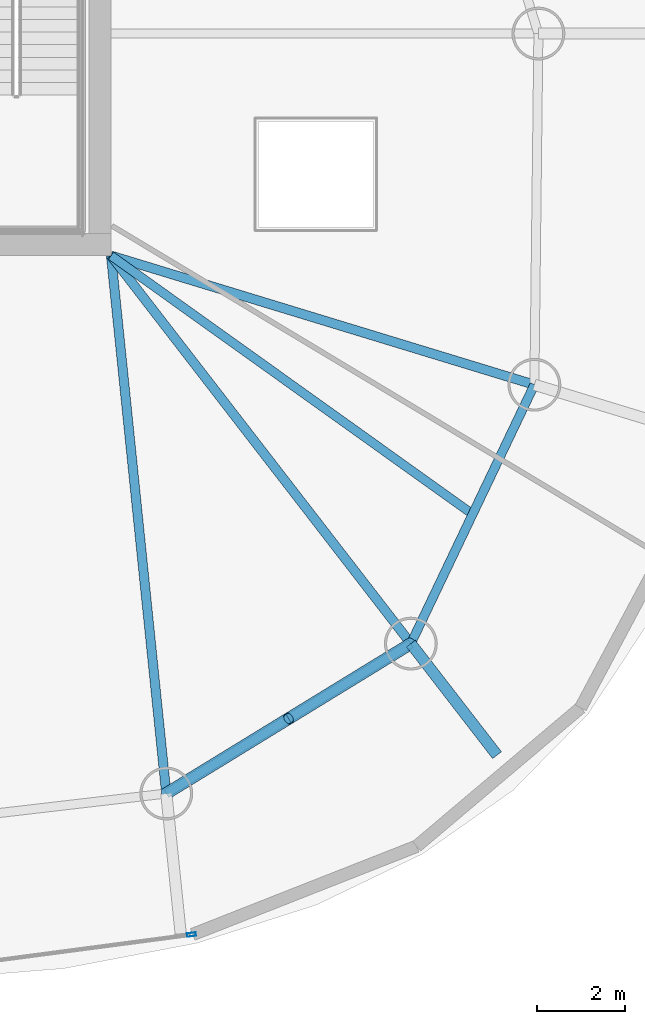
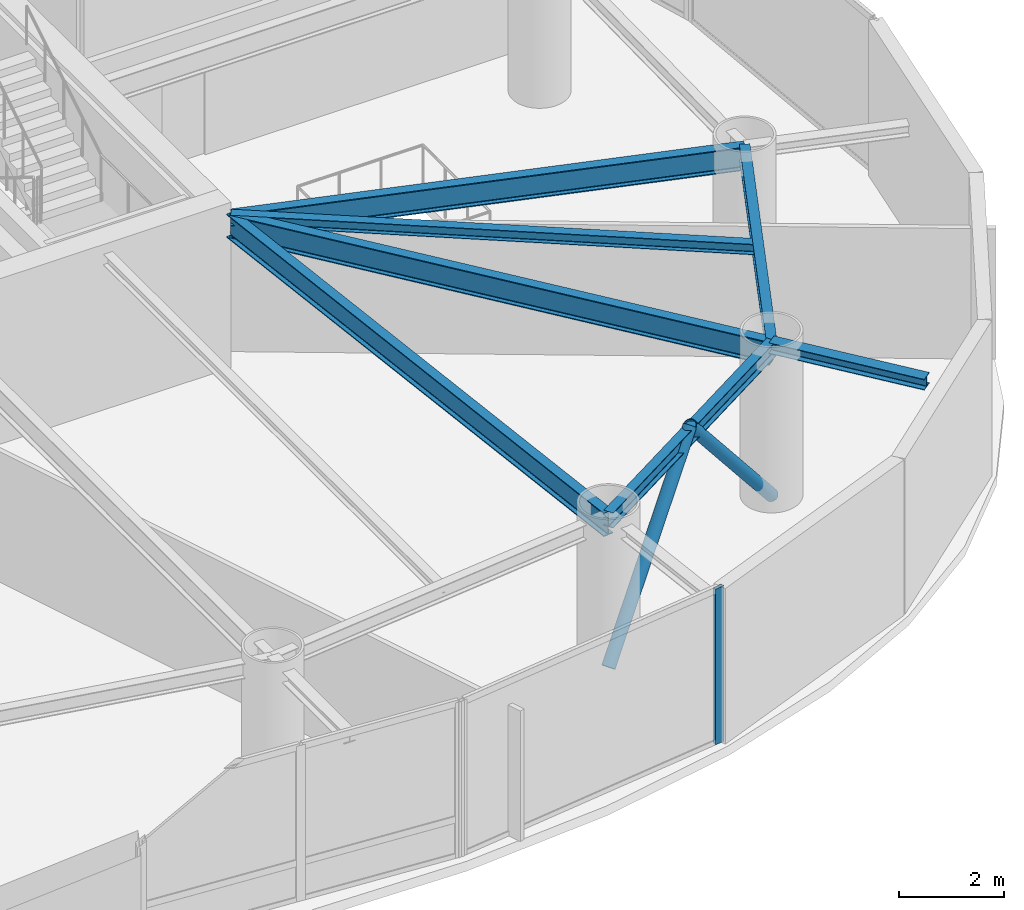
# One storey, part 6 of 21: 7 beams, 3 members, 1 element without a shape of its own.
"""IFC4 building model written with IfcOpenShell, lengths in metres."""

from ifc_helpers import new_model, si_unit, direction, frame, origin, origin_2d, place, context, subcontext, project, spatial, hollow_rectangle, hollow_circle, i_section, extrude, material, layer, layer_set, material_profile, profile_set, type_object, element, aggregate, save


model = new_model("IFC4")

# Units and contexts
model_context = context("Model", 3, precision=1e-05, world=origin(), true_north=direction((0.0, 1.0)))
body_context = subcontext(model_context, "Body", "Model", "MODEL_VIEW")
ifc_project = project(units=[si_unit("LENGTHUNIT", "METRE"), si_unit("AREAUNIT", "SQUARE_METRE"), si_unit("VOLUMEUNIT", "CUBIC_METRE"), si_unit("PLANEANGLEUNIT", "RADIAN"), si_unit("MASSUNIT", "GRAM", prefix="KILO")], contexts=[model_context])

# Site, building, storey
site_placement = place(None, origin())
site = spatial("IfcSite", under=ifc_project, at=site_placement, CompositionType="ELEMENT")
building_placement = place(site_placement, origin())
building = spatial("IfcBuilding", under=site, at=building_placement, Name="Bramvorn Convention Spire", CompositionType="ELEMENT")
storey_placement = place(building_placement, frame((0.0, 0.0, 186.60009765625)))
storey = spatial("IfcBuildingStorey", under=building, at=storey_placement, Name="L47", CompositionType="ELEMENT", Elevation=186.60009765625)

# Beams
ifc_material_1 = material(Name="Steel CSA G40.21 Grade 350 (350W)", Category="steel")
ifc_material_profile_1 = material_profile(ifc_material_1, i_section(OverallWidth=0.201904296875, OverallDepth=0.2470703125, WebThickness=0.00732421875, FlangeThickness=0.010986328125, FilletRadius=0.011962890625, at=origin_2d()))
ifc_profile_set_1 = profile_set([ifc_material_profile_1], Name="Steel CSA G40.21 Grade 350 (350W) - W250X49")
beam_type_1 = type_object("IfcBeamType", Name="BM-W250X49", PredefinedType="JOIST", material=ifc_profile_set_1)
beam_1_placement = place(storey_placement, frame((49.25, 18.550048828125, 3.496337890625), z_axis=(0.813471895271, -0.581604225916, 0.0), x_axis=(0.581604225916, 0.813471895271, 0.0)))
element("IfcBeam", 1, at=beam_1_placement, inside=storey, type_object=beam_type_1, Name="L47 composite floor joist 01", PredefinedType="JOIST", context=body_context, shape_type="SweptSolid", body=[
    extrude(i_section(OverallWidth=0.201904296875, OverallDepth=0.2470703125, WebThickness=0.00732421875, FlangeThickness=0.010986328125, FilletRadius=0.011962890625, at=origin_2d()), origin(), (0.0, 0.0, 1.0), 10.093505859375),
])
ifc_material_profile_2 = material_profile(ifc_material_1, i_section(OverallWidth=0.25390625, OverallDepth=0.2529296875, WebThickness=0.008544921875, FlangeThickness=0.01416015625, FilletRadius=0.011962890625, at=origin_2d()))
ifc_profile_set_2 = profile_set([ifc_material_profile_2], Name="Steel CSA G40.21 Grade 350 (350W) - W250X73")
beam_type_2 = type_object("IfcBeamType", Name="BM-W250X73", PredefinedType="BEAM", material=ifc_profile_set_2)
beam_2_placement = place(storey_placement, frame((56.058349609375, 9.739990234375, 3.493408203125), z_axis=(0.611497441422, -0.791246408607, 0.0), x_axis=(0.791246408607, 0.611497441422, 0.0)))
element("IfcBeam", 2, at=beam_2_placement, inside=storey, type_object=beam_type_2, Name="L47 slab-edge cantilever tip beam MC01", PredefinedType="BEAM", context=body_context, shape_type="SweptSolid", body=[
    extrude(i_section(OverallWidth=0.25390625, OverallDepth=0.2529296875, WebThickness=0.008544921875, FlangeThickness=0.01416015625, FilletRadius=0.011962890625, at=origin_2d()), origin(), (0.0, 0.0, 1.0), 3.199951171875),
])
ifc_material_profile_3 = material_profile(ifc_material_1, i_section(OverallWidth=0.205078125, OverallDepth=0.35400390625, WebThickness=0.009521484375, FlangeThickness=0.016845703125, FilletRadius=0.014892578125, at=origin_2d()))
ifc_profile_set_3 = profile_set([ifc_material_profile_3], Name="Steel CSA G40.21 Grade 350 (350W) - W360X79")
beam_type_3 = type_object("IfcBeamType", Name="BM-W360X79", PredefinedType="JOIST", material=ifc_profile_set_3)
beam_3_placement = place(storey_placement, frame((56.058349609375, 9.739990234375, 3.44287109375), z_axis=(0.430556138422, 0.902563799223, 0.0), x_axis=(-0.902563799223, 0.430556138422, 0.0)))
element("IfcBeam", 3, at=beam_3_placement, inside=storey, type_object=beam_type_3, Name="L47 mega-column ring beam 01", PredefinedType="JOIST", context=body_context, shape_type="SweptSolid", body=[
    extrude(i_section(OverallWidth=0.205078125, OverallDepth=0.35400390625, WebThickness=0.009521484375, FlangeThickness=0.016845703125, FilletRadius=0.014892578125, at=origin_2d()), origin(), (0.0, 0.0, 1.0), 6.51416015625),
])
beam_4_placement = place(storey_placement, frame((50.50439453125, 6.336181640625, 3.44287109375), z_axis=(0.852616873135, 0.522536570629, 0.0), x_axis=(-0.522536570629, 0.852616873135, 0.0)))
element("IfcBeam", 4, at=beam_4_placement, inside=storey, type_object=beam_type_3, Name="L47 mega-column ring beam 16", PredefinedType="JOIST", context=body_context, shape_type="SweptSolid", body=[
    extrude(i_section(OverallWidth=0.205078125, OverallDepth=0.35400390625, WebThickness=0.009521484375, FlangeThickness=0.016845703125, FilletRadius=0.014892578125, at=origin_2d()), origin(), (0.0, 0.0, 1.0), 6.513916015625),
])
ifc_material_profile_4 = material_profile(ifc_material_1, i_section(OverallWidth=0.2119140625, OverallDepth=0.5439453125, WebThickness=0.01318359375, FlangeThickness=0.021240234375, FilletRadius=0.01904296875, at=origin_2d()))
ifc_profile_set_4 = profile_set([ifc_material_profile_4], Name="Steel CSA G40.21 Grade 350 (350W) - W530X123")
beam_type_4 = type_object("IfcBeamType", Name="BM-W530X123", PredefinedType="BEAM", material=ifc_profile_set_4)
beam_5_placement = place(storey_placement, frame((49.25, 18.550048828125, 3.347900390625), z_axis=(0.611479951477, -0.791259925019, 0.0), x_axis=(0.791259925019, 0.611479951477, 0.0)))
element("IfcBeam", 5, at=beam_5_placement, inside=storey, type_object=beam_type_4, Name="L47 radial floor girder MC01", PredefinedType="BEAM", context=body_context, shape_type="SweptSolid", body=[
    extrude(i_section(OverallWidth=0.2119140625, OverallDepth=0.5439453125, WebThickness=0.01318359375, FlangeThickness=0.021240234375, FilletRadius=0.01904296875, at=origin_2d()), origin(), (0.0, 0.0, 1.0), 11.13427734375),
])
beam_6_placement = place(storey_placement, frame((49.25, 18.550048828125, 3.347900390625), z_axis=(0.95653637984, -0.291613021044, 0.0), x_axis=(0.291613021044, 0.95653637984, 0.0)))
element("IfcBeam", 6, at=beam_6_placement, inside=storey, type_object=beam_type_4, Name="L47 radial floor girder MC02", PredefinedType="BEAM", context=body_context, shape_type="SweptSolid", body=[
    extrude(i_section(OverallWidth=0.2119140625, OverallDepth=0.5439453125, WebThickness=0.01318359375, FlangeThickness=0.021240234375, FilletRadius=0.01904296875, at=origin_2d()), origin(), (0.0, 0.0, 1.0), 10.0498046875),
])
beam_7_placement = place(storey_placement, frame((49.25, 18.550048828125, 3.347900390625), z_axis=(0.10216509146, -0.994767457292, 0.0), x_axis=(0.994767457292, 0.10216509146, 0.0)))
element("IfcBeam", 7, at=beam_7_placement, inside=storey, type_object=beam_type_4, Name="L47 radial floor girder MC16", PredefinedType="BEAM", context=body_context, shape_type="SweptSolid", body=[
    extrude(i_section(OverallWidth=0.2119140625, OverallDepth=0.5439453125, WebThickness=0.01318359375, FlangeThickness=0.021240234375, FilletRadius=0.01904296875, at=origin_2d()), origin(), (0.0, 0.0, 1.0), 12.278076171875),
])

# Curtain wall, member
ifc_material_2 = material(Name="Anodised Bronze Unitised Curtain Wall", Category="aluminium")
ifc_layer = layer(ifc_material_2, 0.179931640625)
ifc_layer_set = layer_set([ifc_layer], Name="Anodised Bronze Unitised Curtain Wall - CW-OFF-FRIT")
curtain_wall_type = type_object("IfcCurtainWallType", Name="CW-OFF-FRIT", PredefinedType="USERDEFINED", material=ifc_layer_set)
curtain_wall_placement = place(storey_placement, origin())
curtain_wall = element("IfcCurtainWall", 8, at=curtain_wall_placement, inside=storey, type_object=curtain_wall_type, Name="L47 fritted glass curtain wall 22", ObjectType="UNITISED CURTAIN WALL", PredefinedType="USERDEFINED")
ifc_material_3 = material(Name="Anodised Bronze Aluminium 6063-T6", Category="aluminium")
ifc_material_profile_5 = material_profile(ifc_material_3, hollow_rectangle(XDim=0.080078125, YDim=0.199951171875, WallThickness=0.00390625, InnerFilletRadius=0.0009765625, OuterFilletRadius=0.00390625, at=origin_2d()))
ifc_profile_set_5 = profile_set([ifc_material_profile_5], Name="Anodised Bronze Aluminium 6063-T6 - CWM80X200")
member_type_1 = type_object("IfcMemberType", Name="CW-MUL-180", PredefinedType="MULLION", material=ifc_profile_set_5)
member_1_placement = place(storey_placement, frame((51.075927734375, 3.132080078125, 0.0), z_axis=(0.0, 0.0, 1.0), x_axis=(0.131023252248, -0.991379295411, 0.0)))
member_1 = element("IfcMember", 9, at=member_1_placement, type_object=member_type_1, Name="CW3 mullion 1", PredefinedType="MULLION", context=body_context, shape_type="SweptSolid", body=[
    extrude(hollow_rectangle(XDim=0.080078125, YDim=0.199951171875, WallThickness=0.00390625, InnerFilletRadius=0.0009765625, OuterFilletRadius=0.00390625, at=origin_2d()), origin(), (0.0, 0.0, 1.0), 3.619873046875),
])
aggregate(curtain_wall, [member_1])

# Members
ifc_material_profile_6 = material_profile(ifc_material_1, hollow_circle(Radius=0.136474609375, WallThickness=0.0126953125, at=origin_2d()))
ifc_profile_set_6 = profile_set([ifc_material_profile_6], Name="Steel CSA G40.21 Grade 350 (350W) - CHS273X13")
member_type_2 = type_object("IfcMemberType", Name="MBR-CHS273X13", PredefinedType="BRACE", material=ifc_profile_set_6)
member_2_placement = place(storey_placement, frame((50.50439453125, 6.336181640625, 0.0), z_axis=(0.570302340607, 0.349501328912, 0.743373433334), x_axis=(-0.522519873149, 0.852627106163, 0.0)))
element("IfcMember", 10, at=member_2_placement, inside=storey, type_object=member_type_2, Name="L47 perimeter Gothic lancet brace 16A", PredefinedType="BRACE", context=body_context, shape_type="SweptSolid", body=[
    extrude(hollow_circle(Radius=0.136474609375, WallThickness=0.0126953125, at=origin_2d()), origin(), (0.0, 0.0, 1.0), 4.86962890625),
])
member_3_placement = place(storey_placement, frame((56.058349609375, 9.739990234375, 0.0), z_axis=(-0.57026850931, -0.349511322174, 0.743394688548), x_axis=(0.522553268977, -0.852606639126, 0.0)))
element("IfcMember", 11, at=member_3_placement, inside=storey, type_object=member_type_2, Name="L47 perimeter Gothic lancet brace 16B", PredefinedType="BRACE", context=body_context, shape_type="SweptSolid", body=[
    extrude(hollow_circle(Radius=0.136474609375, WallThickness=0.0126953125, at=origin_2d()), origin(), (0.0, 0.0, 1.0), 4.869384765625),
])

save(model, "model.ifc")
